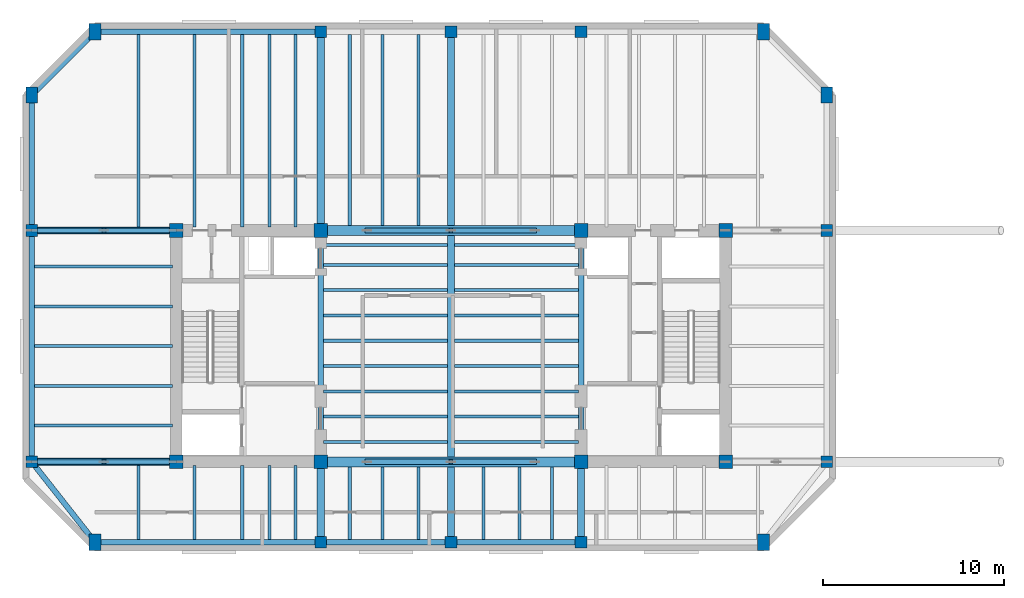
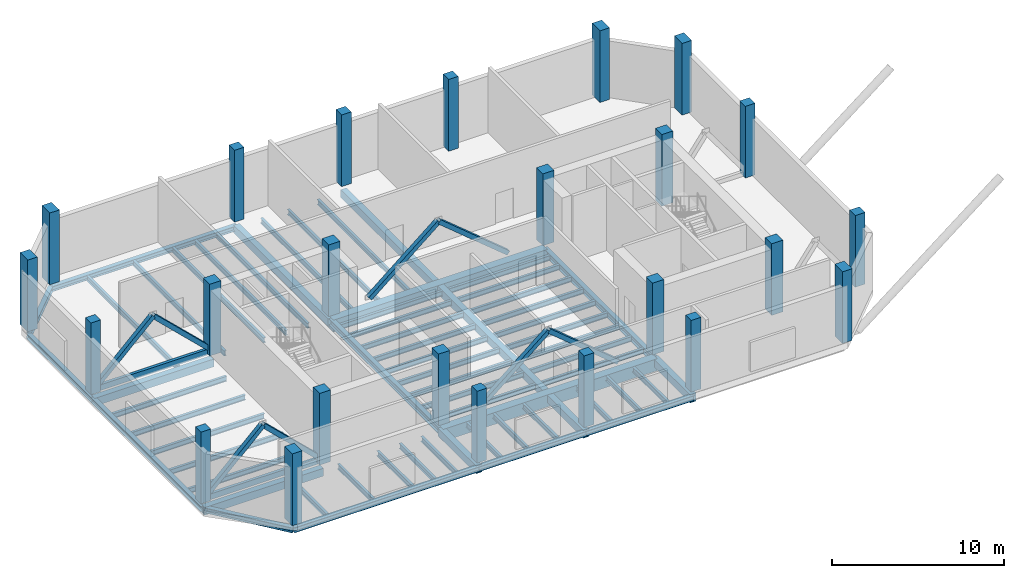
# One storey, part 1 of 9: 62 beams, 24 columns, 10 members.
"""IFC4 building model written with IfcOpenShell, lengths in metres."""

from ifc_helpers import new_model, si_unit, direction, frame, origin, origin_2d, place, context, subcontext, project, spatial, rectangle, hollow_rectangle, i_section, extrude, material, material_profile, profile_set, type_object, element, save


model = new_model("IFC4")

# Units and contexts
model_context = context("Model", 3, precision=1e-05, world=origin(), true_north=direction((0.0, 1.0)))
body_context = subcontext(model_context, "Body", "Model", "MODEL_VIEW")
ifc_project = project(units=[si_unit("LENGTHUNIT", "METRE"), si_unit("AREAUNIT", "SQUARE_METRE"), si_unit("VOLUMEUNIT", "CUBIC_METRE"), si_unit("PLANEANGLEUNIT", "RADIAN"), si_unit("MASSUNIT", "GRAM", prefix="KILO")], contexts=[model_context])

# Site, building, storey
site_placement = place(None, origin())
site = spatial("IfcSite", under=ifc_project, at=site_placement, CompositionType="ELEMENT")
building_placement = place(site_placement, origin())
building = spatial("IfcBuilding", under=site, at=building_placement, Name="Kranthara Brick Stack", CompositionType="ELEMENT")
storey_placement = place(building_placement, frame((0.0, 0.0, 282.300048828125)))
storey = spatial("IfcBuildingStorey", under=building, at=storey_placement, Name="L75", CompositionType="ELEMENT", Elevation=282.300048828125)

# Columns
ifc_material_1 = material(Name="Concrete C50/60", Category="concrete")
ifc_material_profile_1 = material_profile(ifc_material_1, rectangle(XDim=0.64990234375, YDim=0.89990234375, at=origin_2d()), Name="RC 650x900")
ifc_profile_set_1 = profile_set([ifc_material_profile_1], Name="Concrete C50/60")
column_type_1 = type_object("IfcColumnType", Name="COL-CHAM-650x900", PredefinedType="COLUMN", material=ifc_profile_set_1)
for number, where, z_axis, x_axis, name in (
    (1, (8.300048828125, 16.35009765625, 0.0), (0.0, 0.0, 1.0), (1.0, 0.0, 0.0), "L75 Column 09"),
    (2, (8.300048828125, 44.60009765625, 0.0), (0.0, 0.0, 1.0), (1.0, 0.0, 0.0), "L75 Column 10"),
    (3, (45.300048828125, 16.35009765625, 0.0), (0.0, 0.0, 1.0), (1.0, 0.0, 0.0), "L75 Column 17"),
    (4, (45.300048828125, 44.60009765625, 0.0), (0.0, 0.0, 1.0), (1.0, 0.0, 0.0), "L75 Column 18"),
    (5, (4.800048828125, 41.10009765625, 0.0), (0.0, 0.0, 1.0), (1.0, 0.0, 0.0), "L75 Column 23"),
    (6, (48.800048828125, 41.10009765625, 0.0), (0.0, 0.0, 1.0), (1.0, 0.0, 0.0), "L75 Column 24"),
):
    element("IfcColumn", number, at=place(storey_placement, frame(where, z_axis=z_axis, x_axis=x_axis)), inside=storey, type_object=column_type_1, Name=name, PredefinedType="COLUMN", context=body_context, shape_type="SweptSolid", body=[
        extrude(rectangle(XDim=0.64990234375, YDim=0.89990234375, at=origin_2d()), origin(), (0.0, 0.0, 1.0), 5.099853515625),
    ])
ifc_material_2 = material(Name="Concrete C50/60", Category="concrete")
ifc_material_profile_2 = material_profile(ifc_material_2, rectangle(XDim=0.75, YDim=0.75, at=origin_2d()), Name="RC 750x750")
ifc_profile_set_2 = profile_set([ifc_material_profile_2], Name="Concrete C50/60")
column_type_2 = type_object("IfcColumnType", Name="COL-CORE-750", PredefinedType="COLUMN", material=ifc_profile_set_2)
for number, where, z_axis, x_axis, name in (
    (7, (12.800048828125, 20.800048828125, 0.0), (0.0, 0.0, 1.0), (1.0, 0.0, 0.0), "L75 Column 01"),
    (8, (20.800048828125, 20.800048828125, 0.0), (0.0, 0.0, 1.0), (1.0, 0.0, 0.0), "L75 Column 02"),
    (9, (12.800048828125, 33.60009765625, 0.0), (0.0, 0.0, 1.0), (1.0, 0.0, 0.0), "L75 Column 03"),
    (10, (20.800048828125, 33.60009765625, 0.0), (0.0, 0.0, 1.0), (1.0, 0.0, 0.0), "L75 Column 04"),
    (11, (35.199951171875, 20.800048828125, 0.0), (0.0, 0.0, 1.0), (1.0, 0.0, 0.0), "L75 Column 05"),
    (12, (43.199951171875, 20.800048828125, 0.0), (0.0, 0.0, 1.0), (1.0, 0.0, 0.0), "L75 Column 06"),
    (13, (35.199951171875, 33.60009765625, 0.0), (0.0, 0.0, 1.0), (1.0, 0.0, 0.0), "L75 Column 07"),
    (14, (43.199951171875, 33.60009765625, 0.0), (0.0, 0.0, 1.0), (1.0, 0.0, 0.0), "L75 Column 08"),
):
    element("IfcColumn", number, at=place(storey_placement, frame(where, z_axis=z_axis, x_axis=x_axis)), inside=storey, type_object=column_type_2, Name=name, PredefinedType="COLUMN", context=body_context, shape_type="SweptSolid", body=[
        extrude(rectangle(XDim=0.75, YDim=0.75, at=origin_2d()), origin(), (0.0, 0.0, 1.0), 5.099853515625),
    ])
ifc_material_3 = material(Name="Concrete C50/60", Category="concrete")
ifc_material_profile_3 = material_profile(ifc_material_3, rectangle(XDim=0.64990234375, YDim=0.64990234375, at=origin_2d()), Name="RC 650x650")
ifc_profile_set_3 = profile_set([ifc_material_profile_3], Name="Concrete C50/60")
column_type_3 = type_object("IfcColumnType", Name="COL-PER-650", PredefinedType="COLUMN", material=ifc_profile_set_3)
for number, where, z_axis, x_axis, name in (
    (15, (20.800048828125, 16.35009765625, 0.0), (0.0, 0.0, 1.0), (1.0, 0.0, 0.0), "L75 Column 11"),
    (16, (20.800048828125, 44.60009765625, 0.0), (0.0, 0.0, 1.0), (1.0, 0.0, 0.0), "L75 Column 12"),
    (17, (28.0, 16.35009765625, 0.0), (0.0, 0.0, 1.0), (1.0, 0.0, 0.0), "L75 Column 13"),
    (18, (28.0, 44.60009765625, 0.0), (0.0, 0.0, 1.0), (1.0, 0.0, 0.0), "L75 Column 14"),
    (19, (35.199951171875, 16.35009765625, 0.0), (0.0, 0.0, 1.0), (1.0, 0.0, 0.0), "L75 Column 15"),
    (20, (35.199951171875, 44.60009765625, 0.0), (0.0, 0.0, 1.0), (1.0, 0.0, 0.0), "L75 Column 16"),
    (21, (4.800048828125, 20.800048828125, 0.0), (0.0, 0.0, 1.0), (1.0, 0.0, 0.0), "L75 Column 19"),
    (22, (48.800048828125, 20.800048828125, 0.0), (0.0, 0.0, 1.0), (1.0, 0.0, 0.0), "L75 Column 20"),
    (23, (4.800048828125, 33.60009765625, 0.0), (0.0, 0.0, 1.0), (1.0, 0.0, 0.0), "L75 Column 21"),
    (24, (48.800048828125, 33.60009765625, 0.0), (0.0, 0.0, 1.0), (1.0, 0.0, 0.0), "L75 Column 22"),
):
    element("IfcColumn", number, at=place(storey_placement, frame(where, z_axis=z_axis, x_axis=x_axis)), inside=storey, type_object=column_type_3, Name=name, PredefinedType="COLUMN", context=body_context, shape_type="SweptSolid", body=[
        extrude(rectangle(XDim=0.64990234375, YDim=0.64990234375, at=origin_2d()), origin(), (0.0, 0.0, 1.0), 5.099853515625),
    ])

# Beams
ifc_material_4 = material(Name="Concrete C50/60", Category="concrete")
ifc_material_profile_4 = material_profile(ifc_material_4, rectangle(XDim=0.550048828125, YDim=0.85009765625, at=origin_2d()), Name="RC 550x850")
ifc_profile_set_4 = profile_set([ifc_material_profile_4], Name="Concrete C50/60")
beam_type_1 = type_object("IfcBeamType", Name="BM-CPL-RC850", PredefinedType="LINTEL", material=ifc_profile_set_4)
for number, where, z_axis, x_axis, name in (
    (25, (20.800048828125, 20.800048828125, -0.875), (1.0, 0.0, 0.0), (0.0, 1.0, 0.0), "L75 Core Coupling Beam 001"),
    (26, (20.800048828125, 33.60009765625, -0.875), (1.0, 0.0, 0.0), (0.0, 1.0, 0.0), "L75 Core Coupling Beam 002"),
):
    element("IfcBeam", number, at=place(storey_placement, frame(where, z_axis=z_axis, x_axis=x_axis)), inside=storey, type_object=beam_type_1, Name=name, PredefinedType="LINTEL", context=body_context, shape_type="SweptSolid", body=[
        extrude(rectangle(XDim=0.550048828125, YDim=0.85009765625, at=origin_2d()), origin(), (0.0, 0.0, 1.0), 14.39990234375),
    ])
ifc_material_5 = material(Name="Post-tensioned concrete C45/55", Category="concrete")
ifc_material_profile_5 = material_profile(ifc_material_5, rectangle(XDim=0.39990234375, YDim=0.550048828125, at=origin_2d()), Name="PT 400x550")
ifc_profile_set_5 = profile_set([ifc_material_profile_5], Name="Post-tensioned concrete C45/55")
beam_type_2 = type_object("IfcBeamType", Name="BM-FLR-PT550", PredefinedType="BEAM", material=ifc_profile_set_5)
beam_1_placement = place(storey_placement, frame((20.800048828125, 16.35009765625, -0.72509765625), z_axis=(0.0, 1.0, 0.0), x_axis=(-1.0, 0.0, 0.0)))
element("IfcBeam", 27, at=beam_1_placement, inside=storey, type_object=beam_type_2, Name="L75 Primary Grid Girder 021", PredefinedType="BEAM", context=body_context, shape_type="SweptSolid", body=[
    extrude(rectangle(XDim=0.39990234375, YDim=0.550048828125, at=origin_2d()), origin(), (0.0, 0.0, 1.0), 4.449951171875),
])
beam_2_placement = place(storey_placement, frame((20.800048828125, 33.60009765625, -0.72509765625), z_axis=(0.0, 1.0, 0.0), x_axis=(-1.0, 0.0, 0.0)))
element("IfcBeam", 28, at=beam_2_placement, inside=storey, type_object=beam_type_2, Name="L75 Primary Grid Girder 022", PredefinedType="BEAM", context=body_context, shape_type="SweptSolid", body=[
    extrude(rectangle(XDim=0.39990234375, YDim=0.550048828125, at=origin_2d()), origin(), (0.0, 0.0, 1.0), 11.0),
])
beam_3_placement = place(storey_placement, frame((28.0, 16.35009765625, -0.72509765625), z_axis=(0.0, 1.0, 0.0), x_axis=(-1.0, 0.0, 0.0)))
element("IfcBeam", 29, at=beam_3_placement, inside=storey, type_object=beam_type_2, Name="L75 Primary Grid Girder 023", PredefinedType="BEAM", context=body_context, shape_type="SweptSolid", body=[
    extrude(rectangle(XDim=0.39990234375, YDim=0.550048828125, at=origin_2d()), origin(), (0.0, 0.0, 1.0), 4.1748046875),
])
beam_4_placement = place(storey_placement, frame((28.0, 21.074951171875, -0.72509765625), z_axis=(0.0, 1.0, 0.0), x_axis=(-1.0, 0.0, 0.0)))
element("IfcBeam", 30, at=beam_4_placement, inside=storey, type_object=beam_type_2, Name="L75 Central Spine Girder 024", PredefinedType="BEAM", context=body_context, shape_type="SweptSolid", body=[
    extrude(rectangle(XDim=0.39990234375, YDim=0.550048828125, at=origin_2d()), origin(), (0.0, 0.0, 1.0), 12.25),
])
beam_5_placement = place(storey_placement, frame((28.0, 33.875, -0.72509765625), z_axis=(0.0, 1.0, 0.0), x_axis=(-1.0, 0.0, 0.0)))
element("IfcBeam", 31, at=beam_5_placement, inside=storey, type_object=beam_type_2, Name="L75 Primary Grid Girder 025", PredefinedType="BEAM", context=body_context, shape_type="SweptSolid", body=[
    extrude(rectangle(XDim=0.39990234375, YDim=0.550048828125, at=origin_2d()), origin(), (0.0, 0.0, 1.0), 10.72509765625),
])
beam_6_placement = place(storey_placement, frame((35.199951171875, 16.35009765625, -0.72509765625), z_axis=(0.0, 1.0, 0.0), x_axis=(-1.0, 0.0, 0.0)))
element("IfcBeam", 32, at=beam_6_placement, inside=storey, type_object=beam_type_2, Name="L75 Primary Grid Girder 026", PredefinedType="BEAM", context=body_context, shape_type="SweptSolid", body=[
    extrude(rectangle(XDim=0.39990234375, YDim=0.550048828125, at=origin_2d()), origin(), (0.0, 0.0, 1.0), 4.449951171875),
])
for number, where, z_axis, x_axis, name in (
    (33, (4.800048828125, 20.800048828125, -0.72509765625), (1.0, 0.0, 0.0), (0.0, 1.0, 0.0), "L75 Primary Grid Girder 028"),
    (34, (4.800048828125, 33.60009765625, -0.72509765625), (1.0, 0.0, 0.0), (0.0, 1.0, 0.0), "L75 Primary Grid Girder 030"),
):
    element("IfcBeam", number, at=place(storey_placement, frame(where, z_axis=z_axis, x_axis=x_axis)), inside=storey, type_object=beam_type_2, Name=name, PredefinedType="BEAM", context=body_context, shape_type="SweptSolid", body=[
        extrude(rectangle(XDim=0.39990234375, YDim=0.550048828125, at=origin_2d()), origin(), (0.0, 0.0, 1.0), 8.0),
    ])
ifc_material_6 = material(Name="Steel S355", Category="steel")
ifc_material_profile_6 = material_profile(ifc_material_6, i_section(OverallWidth=0.169921875, OverallDepth=0.360107421875, WebThickness=0.008056640625, FlangeThickness=0.0126953125, at=origin_2d()), Name="IPE 360")
ifc_profile_set_6 = profile_set([ifc_material_profile_6], Name="Steel S355")
beam_type_3 = type_object("IfcBeamType", Name="BM-JST-IPE360", PredefinedType="JOIST", material=ifc_profile_set_6)
for number, where, z_axis, x_axis, name in (
    (35, (20.949951171875, 21.89990234375, -0.630126953125), (1.0, 0.0, 0.0), (0.0, 1.0, 0.0), "L75 Central Floor Joist 032"),
    (36, (28.199951171875, 21.89990234375, -0.630126953125), (1.0, 0.0, 0.0), (0.0, 1.0, 0.0), "L75 Central Floor Joist 033"),
    (37, (20.949951171875, 23.300048828125, -0.630126953125), (1.0, 0.0, 0.0), (0.0, 1.0, 0.0), "L75 Central Floor Joist 034"),
    (38, (28.199951171875, 23.300048828125, -0.630126953125), (1.0, 0.0, 0.0), (0.0, 1.0, 0.0), "L75 Central Floor Joist 035"),
    (39, (20.949951171875, 24.699951171875, -0.630126953125), (1.0, 0.0, 0.0), (0.0, 1.0, 0.0), "L75 Central Floor Joist 036"),
    (40, (28.199951171875, 24.699951171875, -0.630126953125), (1.0, 0.0, 0.0), (0.0, 1.0, 0.0), "L75 Central Floor Joist 037"),
    (41, (20.949951171875, 26.10009765625, -0.630126953125), (1.0, 0.0, 0.0), (0.0, 1.0, 0.0), "L75 Central Floor Joist 038"),
    (42, (28.199951171875, 26.10009765625, -0.630126953125), (1.0, 0.0, 0.0), (0.0, 1.0, 0.0), "L75 Central Floor Joist 039"),
    (43, (20.949951171875, 27.5, -0.630126953125), (1.0, 0.0, 0.0), (0.0, 1.0, 0.0), "L75 Central Floor Joist 040"),
    (44, (28.199951171875, 27.5, -0.630126953125), (1.0, 0.0, 0.0), (0.0, 1.0, 0.0), "L75 Central Floor Joist 041"),
    (45, (20.949951171875, 28.89990234375, -0.630126953125), (1.0, 0.0, 0.0), (0.0, 1.0, 0.0), "L75 Central Floor Joist 042"),
    (46, (28.199951171875, 28.89990234375, -0.630126953125), (1.0, 0.0, 0.0), (0.0, 1.0, 0.0), "L75 Central Floor Joist 043"),
    (47, (20.949951171875, 30.300048828125, -0.630126953125), (1.0, 0.0, 0.0), (0.0, 1.0, 0.0), "L75 Central Floor Joist 044"),
    (48, (28.199951171875, 30.300048828125, -0.630126953125), (1.0, 0.0, 0.0), (0.0, 1.0, 0.0), "L75 Central Floor Joist 045"),
    (49, (20.949951171875, 31.699951171875, -0.630126953125), (1.0, 0.0, 0.0), (0.0, 1.0, 0.0), "L75 Central Floor Joist 046"),
    (50, (28.199951171875, 31.699951171875, -0.630126953125), (1.0, 0.0, 0.0), (0.0, 1.0, 0.0), "L75 Central Floor Joist 047"),
    (51, (20.949951171875, 32.800048828125, -0.630126953125), (1.0, 0.0, 0.0), (0.0, 1.0, 0.0), "L75 Central Floor Joist 048"),
    (52, (28.199951171875, 32.800048828125, -0.630126953125), (1.0, 0.0, 0.0), (0.0, 1.0, 0.0), "L75 Central Floor Joist 049"),
):
    element("IfcBeam", number, at=place(storey_placement, frame(where, z_axis=z_axis, x_axis=x_axis)), inside=storey, type_object=beam_type_3, Name=name, PredefinedType="JOIST", context=body_context, shape_type="SweptSolid", body=[
        extrude(i_section(OverallWidth=0.169921875, OverallDepth=0.360107421875, WebThickness=0.008056640625, FlangeThickness=0.0126953125, at=origin_2d()), origin(), (0.0, 0.0, 1.0), 6.85009765625),
    ])
beam_7_placement = place(storey_placement, frame((10.699951171875, 16.5, -0.630126953125), z_axis=(0.0, 1.0, 0.0), x_axis=(-1.0, 0.0, 0.0)))
element("IfcBeam", 53, at=beam_7_placement, inside=storey, type_object=beam_type_3, Name="L75 South Wing Floor Joist 050", PredefinedType="JOIST", context=body_context, shape_type="SweptSolid", body=[
    extrude(i_section(OverallWidth=0.169921875, OverallDepth=0.360107421875, WebThickness=0.008056640625, FlangeThickness=0.0126953125, at=origin_2d()), origin(), (0.0, 0.0, 1.0), 4.10009765625),
])
beam_8_placement = place(storey_placement, frame((10.699951171875, 33.800048828125, -0.630126953125), z_axis=(0.0, 1.0, 0.0), x_axis=(-1.0, 0.0, 0.0)))
element("IfcBeam", 54, at=beam_8_placement, inside=storey, type_object=beam_type_3, Name="L75 North Wing Floor Joist 051", PredefinedType="JOIST", context=body_context, shape_type="SweptSolid", body=[
    extrude(i_section(OverallWidth=0.169921875, OverallDepth=0.360107421875, WebThickness=0.008056640625, FlangeThickness=0.0126953125, at=origin_2d()), origin(), (0.0, 0.0, 1.0), 10.64990234375),
])
beam_9_placement = place(storey_placement, frame((13.800048828125, 16.5, -0.630126953125), z_axis=(0.0, 1.0, 0.0), x_axis=(-1.0, 0.0, 0.0)))
element("IfcBeam", 55, at=beam_9_placement, inside=storey, type_object=beam_type_3, Name="L75 South Wing Floor Joist 052", PredefinedType="JOIST", context=body_context, shape_type="SweptSolid", body=[
    extrude(i_section(OverallWidth=0.169921875, OverallDepth=0.360107421875, WebThickness=0.008056640625, FlangeThickness=0.0126953125, at=origin_2d()), origin(), (0.0, 0.0, 1.0), 4.10009765625),
])
beam_10_placement = place(storey_placement, frame((13.800048828125, 33.800048828125, -0.630126953125), z_axis=(0.0, 1.0, 0.0), x_axis=(-1.0, 0.0, 0.0)))
element("IfcBeam", 56, at=beam_10_placement, inside=storey, type_object=beam_type_3, Name="L75 North Wing Floor Joist 053", PredefinedType="JOIST", context=body_context, shape_type="SweptSolid", body=[
    extrude(i_section(OverallWidth=0.169921875, OverallDepth=0.360107421875, WebThickness=0.008056640625, FlangeThickness=0.0126953125, at=origin_2d()), origin(), (0.0, 0.0, 1.0), 10.64990234375),
])
beam_11_placement = place(storey_placement, frame((16.449951171875, 16.5, -0.630126953125), z_axis=(0.0, 1.0, 0.0), x_axis=(-1.0, 0.0, 0.0)))
element("IfcBeam", 57, at=beam_11_placement, inside=storey, type_object=beam_type_3, Name="L75 South Wing Floor Joist 054", PredefinedType="JOIST", context=body_context, shape_type="SweptSolid", body=[
    extrude(i_section(OverallWidth=0.169921875, OverallDepth=0.360107421875, WebThickness=0.008056640625, FlangeThickness=0.0126953125, at=origin_2d()), origin(), (0.0, 0.0, 1.0), 4.10009765625),
])
beam_12_placement = place(storey_placement, frame((16.449951171875, 33.800048828125, -0.630126953125), z_axis=(0.0, 1.0, 0.0), x_axis=(-1.0, 0.0, 0.0)))
element("IfcBeam", 58, at=beam_12_placement, inside=storey, type_object=beam_type_3, Name="L75 North Wing Floor Joist 055", PredefinedType="JOIST", context=body_context, shape_type="SweptSolid", body=[
    extrude(i_section(OverallWidth=0.169921875, OverallDepth=0.360107421875, WebThickness=0.008056640625, FlangeThickness=0.0126953125, at=origin_2d()), origin(), (0.0, 0.0, 1.0), 10.64990234375),
])
beam_13_placement = place(storey_placement, frame((17.949951171875, 16.5, -0.630126953125), z_axis=(0.0, 1.0, 0.0), x_axis=(-1.0, 0.0, 0.0)))
element("IfcBeam", 59, at=beam_13_placement, inside=storey, type_object=beam_type_3, Name="L75 South Wing Floor Joist 056", PredefinedType="JOIST", context=body_context, shape_type="SweptSolid", body=[
    extrude(i_section(OverallWidth=0.169921875, OverallDepth=0.360107421875, WebThickness=0.008056640625, FlangeThickness=0.0126953125, at=origin_2d()), origin(), (0.0, 0.0, 1.0), 4.10009765625),
])
beam_14_placement = place(storey_placement, frame((17.949951171875, 33.800048828125, -0.630126953125), z_axis=(0.0, 1.0, 0.0), x_axis=(-1.0, 0.0, 0.0)))
element("IfcBeam", 60, at=beam_14_placement, inside=storey, type_object=beam_type_3, Name="L75 North Wing Floor Joist 057", PredefinedType="JOIST", context=body_context, shape_type="SweptSolid", body=[
    extrude(i_section(OverallWidth=0.169921875, OverallDepth=0.360107421875, WebThickness=0.008056640625, FlangeThickness=0.0126953125, at=origin_2d()), origin(), (0.0, 0.0, 1.0), 10.64990234375),
])
beam_15_placement = place(storey_placement, frame((19.39990234375, 16.5, -0.630126953125), z_axis=(0.0, 1.0, 0.0), x_axis=(-1.0, 0.0, 0.0)))
element("IfcBeam", 61, at=beam_15_placement, inside=storey, type_object=beam_type_3, Name="L75 South Wing Floor Joist 058", PredefinedType="JOIST", context=body_context, shape_type="SweptSolid", body=[
    extrude(i_section(OverallWidth=0.169921875, OverallDepth=0.360107421875, WebThickness=0.008056640625, FlangeThickness=0.0126953125, at=origin_2d()), origin(), (0.0, 0.0, 1.0), 4.10009765625),
])
beam_16_placement = place(storey_placement, frame((19.39990234375, 33.800048828125, -0.630126953125), z_axis=(0.0, 1.0, 0.0), x_axis=(-1.0, 0.0, 0.0)))
element("IfcBeam", 62, at=beam_16_placement, inside=storey, type_object=beam_type_3, Name="L75 North Wing Floor Joist 059", PredefinedType="JOIST", context=body_context, shape_type="SweptSolid", body=[
    extrude(i_section(OverallWidth=0.169921875, OverallDepth=0.360107421875, WebThickness=0.008056640625, FlangeThickness=0.0126953125, at=origin_2d()), origin(), (0.0, 0.0, 1.0), 10.64990234375),
])
beam_17_placement = place(storey_placement, frame((22.39990234375, 16.5, -0.630126953125), z_axis=(0.0, 1.0, 0.0), x_axis=(-1.0, 0.0, 0.0)))
element("IfcBeam", 63, at=beam_17_placement, inside=storey, type_object=beam_type_3, Name="L75 South Wing Floor Joist 060", PredefinedType="JOIST", context=body_context, shape_type="SweptSolid", body=[
    extrude(i_section(OverallWidth=0.169921875, OverallDepth=0.360107421875, WebThickness=0.008056640625, FlangeThickness=0.0126953125, at=origin_2d()), origin(), (0.0, 0.0, 1.0), 4.02490234375),
])
beam_18_placement = place(storey_placement, frame((22.39990234375, 33.875, -0.630126953125), z_axis=(0.0, 1.0, 0.0), x_axis=(-1.0, 0.0, 0.0)))
element("IfcBeam", 64, at=beam_18_placement, inside=storey, type_object=beam_type_3, Name="L75 North Wing Floor Joist 061", PredefinedType="JOIST", context=body_context, shape_type="SweptSolid", body=[
    extrude(i_section(OverallWidth=0.169921875, OverallDepth=0.360107421875, WebThickness=0.008056640625, FlangeThickness=0.0126953125, at=origin_2d()), origin(), (0.0, 0.0, 1.0), 10.574951171875),
])
beam_19_placement = place(storey_placement, frame((24.199951171875, 16.5, -0.630126953125), z_axis=(0.0, 1.0, 0.0), x_axis=(-1.0, 0.0, 0.0)))
element("IfcBeam", 65, at=beam_19_placement, inside=storey, type_object=beam_type_3, Name="L75 South Wing Floor Joist 062", PredefinedType="JOIST", context=body_context, shape_type="SweptSolid", body=[
    extrude(i_section(OverallWidth=0.169921875, OverallDepth=0.360107421875, WebThickness=0.008056640625, FlangeThickness=0.0126953125, at=origin_2d()), origin(), (0.0, 0.0, 1.0), 4.02490234375),
])
beam_20_placement = place(storey_placement, frame((24.199951171875, 33.875, -0.630126953125), z_axis=(0.0, 1.0, 0.0), x_axis=(-1.0, 0.0, 0.0)))
element("IfcBeam", 66, at=beam_20_placement, inside=storey, type_object=beam_type_3, Name="L75 North Wing Floor Joist 063", PredefinedType="JOIST", context=body_context, shape_type="SweptSolid", body=[
    extrude(i_section(OverallWidth=0.169921875, OverallDepth=0.360107421875, WebThickness=0.008056640625, FlangeThickness=0.0126953125, at=origin_2d()), origin(), (0.0, 0.0, 1.0), 10.574951171875),
])
beam_21_placement = place(storey_placement, frame((26.199951171875, 16.5, -0.630126953125), z_axis=(0.0, 1.0, 0.0), x_axis=(-1.0, 0.0, 0.0)))
element("IfcBeam", 67, at=beam_21_placement, inside=storey, type_object=beam_type_3, Name="L75 South Wing Floor Joist 064", PredefinedType="JOIST", context=body_context, shape_type="SweptSolid", body=[
    extrude(i_section(OverallWidth=0.169921875, OverallDepth=0.360107421875, WebThickness=0.008056640625, FlangeThickness=0.0126953125, at=origin_2d()), origin(), (0.0, 0.0, 1.0), 4.02490234375),
])
beam_22_placement = place(storey_placement, frame((26.199951171875, 33.875, -0.630126953125), z_axis=(0.0, 1.0, 0.0), x_axis=(-1.0, 0.0, 0.0)))
element("IfcBeam", 68, at=beam_22_placement, inside=storey, type_object=beam_type_3, Name="L75 North Wing Floor Joist 065", PredefinedType="JOIST", context=body_context, shape_type="SweptSolid", body=[
    extrude(i_section(OverallWidth=0.169921875, OverallDepth=0.360107421875, WebThickness=0.008056640625, FlangeThickness=0.0126953125, at=origin_2d()), origin(), (0.0, 0.0, 1.0), 10.574951171875),
])
for number, where, z_axis, x_axis, name in (
    (69, (29.800048828125, 16.5, -0.630126953125), (0.0, 1.0, 0.0), (-1.0, 0.0, 0.0), "L75 South Wing Floor Joist 066"),
    (70, (31.800048828125, 16.5, -0.630126953125), (0.0, 1.0, 0.0), (-1.0, 0.0, 0.0), "L75 South Wing Floor Joist 068"),
    (71, (33.60009765625, 16.5, -0.630126953125), (0.0, 1.0, 0.0), (-1.0, 0.0, 0.0), "L75 South Wing Floor Joist 070"),
):
    element("IfcBeam", number, at=place(storey_placement, frame(where, z_axis=z_axis, x_axis=x_axis)), inside=storey, type_object=beam_type_3, Name=name, PredefinedType="JOIST", context=body_context, shape_type="SweptSolid", body=[
        extrude(i_section(OverallWidth=0.169921875, OverallDepth=0.360107421875, WebThickness=0.008056640625, FlangeThickness=0.0126953125, at=origin_2d()), origin(), (0.0, 0.0, 1.0), 4.02490234375),
    ])
for number, where, z_axis, x_axis, name in (
    (72, (4.949951171875, 22.800048828125, -0.630126953125), (1.0, 0.0, 0.0), (0.0, 1.0, 0.0), "L75 West Wing Floor Joist 082"),
    (73, (4.949951171875, 25.0, -0.630126953125), (1.0, 0.0, 0.0), (0.0, 1.0, 0.0), "L75 West Wing Floor Joist 084"),
    (74, (4.949951171875, 27.199951171875, -0.630126953125), (1.0, 0.0, 0.0), (0.0, 1.0, 0.0), "L75 West Wing Floor Joist 086"),
    (75, (4.949951171875, 29.39990234375, -0.630126953125), (1.0, 0.0, 0.0), (0.0, 1.0, 0.0), "L75 West Wing Floor Joist 088"),
    (76, (4.949951171875, 31.60009765625, -0.630126953125), (1.0, 0.0, 0.0), (0.0, 1.0, 0.0), "L75 West Wing Floor Joist 090"),
):
    element("IfcBeam", number, at=place(storey_placement, frame(where, z_axis=z_axis, x_axis=x_axis)), inside=storey, type_object=beam_type_3, Name=name, PredefinedType="JOIST", context=body_context, shape_type="SweptSolid", body=[
        extrude(i_section(OverallWidth=0.169921875, OverallDepth=0.360107421875, WebThickness=0.008056640625, FlangeThickness=0.0126953125, at=origin_2d()), origin(), (0.0, 0.0, 1.0), 7.650146484375),
    ])
ifc_material_7 = material(Name="Steel S355", Category="steel")
ifc_material_profile_7 = material_profile(ifc_material_7, i_section(OverallWidth=0.300048828125, OverallDepth=0.360107421875, WebThickness=0.012451171875, FlangeThickness=0.0224609375, at=origin_2d()), Name="HEB 360")
ifc_profile_set_7 = profile_set([ifc_material_profile_7], Name="Steel S355")
beam_type_4 = type_object("IfcBeamType", Name="BM-STL-HEB360", PredefinedType="SPANDREL", material=ifc_profile_set_7)
beam_23_placement = place(storey_placement, frame((8.300048828125, 16.35009765625, -0.630126953125), z_axis=(1.0, 0.0, 0.0), x_axis=(0.0, 1.0, 0.0)))
element("IfcBeam", 77, at=beam_23_placement, inside=storey, type_object=beam_type_4, Name="L75 Perimeter Spandrel Beam 005", PredefinedType="SPANDREL", context=body_context, shape_type="SweptSolid", body=[
    extrude(i_section(OverallWidth=0.300048828125, OverallDepth=0.360107421875, WebThickness=0.012451171875, FlangeThickness=0.0224609375, at=origin_2d()), origin(), (0.0, 0.0, 1.0), 12.5),
])
for number, where, z_axis, x_axis, name in (
    (78, (20.800048828125, 16.35009765625, -0.630126953125), (1.0, 0.0, 0.0), (0.0, 1.0, 0.0), "L75 Perimeter Spandrel Beam 006"),
    (79, (28.0, 16.35009765625, -0.630126953125), (1.0, 0.0, 0.0), (0.0, 1.0, 0.0), "L75 Perimeter Spandrel Beam 007"),
):
    element("IfcBeam", number, at=place(storey_placement, frame(where, z_axis=z_axis, x_axis=x_axis)), inside=storey, type_object=beam_type_4, Name=name, PredefinedType="SPANDREL", context=body_context, shape_type="SweptSolid", body=[
        extrude(i_section(OverallWidth=0.300048828125, OverallDepth=0.360107421875, WebThickness=0.012451171875, FlangeThickness=0.0224609375, at=origin_2d()), origin(), (0.0, 0.0, 1.0), 7.199951171875),
    ])
beam_24_placement = place(storey_placement, frame((8.300048828125, 44.60009765625, -0.630126953125), z_axis=(1.0, 0.0, 0.0), x_axis=(0.0, 1.0, 0.0)))
element("IfcBeam", 80, at=beam_24_placement, inside=storey, type_object=beam_type_4, Name="L75 Perimeter Spandrel Beam 009", PredefinedType="SPANDREL", context=body_context, shape_type="SweptSolid", body=[
    extrude(i_section(OverallWidth=0.300048828125, OverallDepth=0.360107421875, WebThickness=0.012451171875, FlangeThickness=0.0224609375, at=origin_2d()), origin(), (0.0, 0.0, 1.0), 12.5),
])
beam_25_placement = place(storey_placement, frame((4.800048828125, 20.800048828125, -0.630126953125), z_axis=(0.0, 1.0, 0.0), x_axis=(-1.0, 0.0, 0.0)))
element("IfcBeam", 81, at=beam_25_placement, inside=storey, type_object=beam_type_4, Name="L75 Perimeter Spandrel Beam 013", PredefinedType="SPANDREL", context=body_context, shape_type="SweptSolid", body=[
    extrude(i_section(OverallWidth=0.300048828125, OverallDepth=0.360107421875, WebThickness=0.012451171875, FlangeThickness=0.0224609375, at=origin_2d()), origin(), (0.0, 0.0, 1.0), 12.800048828125),
])
beam_26_placement = place(storey_placement, frame((4.800048828125, 33.60009765625, -0.630126953125), z_axis=(0.0, 1.0, 0.0), x_axis=(-1.0, 0.0, 0.0)))
element("IfcBeam", 82, at=beam_26_placement, inside=storey, type_object=beam_type_4, Name="L75 Perimeter Spandrel Beam 014", PredefinedType="SPANDREL", context=body_context, shape_type="SweptSolid", body=[
    extrude(i_section(OverallWidth=0.300048828125, OverallDepth=0.360107421875, WebThickness=0.012451171875, FlangeThickness=0.0224609375, at=origin_2d()), origin(), (0.0, 0.0, 1.0), 7.5),
])
beam_27_placement = place(storey_placement, frame((8.300048828125, 16.35009765625, -0.630126953125), z_axis=(-0.618215705636, 0.78600848679, 0.0), x_axis=(-0.78600848679, -0.618215705636, 0.0)))
element("IfcBeam", 83, at=beam_27_placement, inside=storey, type_object=beam_type_4, Name="L75 Chamfer Corner Spandrel 017", PredefinedType="SPANDREL", context=body_context, shape_type="SweptSolid", body=[
    extrude(i_section(OverallWidth=0.300048828125, OverallDepth=0.360107421875, WebThickness=0.012451171875, FlangeThickness=0.0224609375, at=origin_2d()), origin(), (0.0, 0.0, 1.0), 5.661376953125),
])
beam_28_placement = place(storey_placement, frame((8.300048828125, 44.60009765625, -0.630126953125), z_axis=(-0.707106781187, -0.707106781187, 0.0), x_axis=(0.707106781187, -0.707106781187, 0.0)))
element("IfcBeam", 84, at=beam_28_placement, inside=storey, type_object=beam_type_4, Name="L75 Chamfer Corner Spandrel 019", PredefinedType="SPANDREL", context=body_context, shape_type="SweptSolid", body=[
    extrude(i_section(OverallWidth=0.300048828125, OverallDepth=0.360107421875, WebThickness=0.012451171875, FlangeThickness=0.0224609375, at=origin_2d()), origin(), (0.0, 0.0, 1.0), 4.94970703125),
])
ifc_material_8 = material(Name="Steel S355", Category="steel")
ifc_material_profile_8 = material_profile(ifc_material_8, i_section(OverallWidth=0.300048828125, OverallDepth=0.449951171875, WebThickness=0.013916015625, FlangeThickness=0.02587890625, at=origin_2d()), Name="HEB 450")
ifc_profile_set_8 = profile_set([ifc_material_profile_8], Name="Steel S355")
beam_type_5 = type_object("IfcBeamType", Name="BM-STL-HEB450", PredefinedType="SPANDREL", material=ifc_profile_set_8)
for number, where, z_axis, x_axis, name in (
    (85, (20.800048828125, 20.800048828125, -0.675048828125), (0.0, 1.0, 0.0), (-1.0, 0.0, 0.0), "L75 Core Edge Tie Beam 003"),
    (86, (35.199951171875, 20.800048828125, -0.675048828125), (0.0, 1.0, 0.0), (-1.0, 0.0, 0.0), "L75 Core Edge Tie Beam 004"),
):
    element("IfcBeam", number, at=place(storey_placement, frame(where, z_axis=z_axis, x_axis=x_axis)), inside=storey, type_object=beam_type_5, Name=name, PredefinedType="SPANDREL", context=body_context, shape_type="SweptSolid", body=[
        extrude(i_section(OverallWidth=0.300048828125, OverallDepth=0.449951171875, WebThickness=0.013916015625, FlangeThickness=0.02587890625, at=origin_2d()), origin(), (0.0, 0.0, 1.0), 12.800048828125),
    ])

# Members
ifc_material_9 = material(Name="Steel S355", Category="steel")
ifc_material_profile_9 = material_profile(ifc_material_9, hollow_rectangle(XDim=0.300048828125, YDim=0.300048828125, WallThickness=0.01611328125, at=origin_2d()), Name="SHS 300x300x16")
ifc_profile_set_9 = profile_set([ifc_material_profile_9], Name="Steel S355")
member_type_1 = type_object("IfcMemberType", Name="MB-BRC-SHS300", PredefinedType="BRACE", material=ifc_profile_set_9)
for number, where, z_axis, x_axis, name in (
    (87, (12.800048828125, 20.800048828125, 0.099853515625), (-0.720478064824, 0.0, 0.693477727189), (0.0, -1.0, 0.0), "L75 Outrigger Truss Diagonal 01"),
    (88, (12.800048828125, 33.60009765625, 0.099853515625), (-0.720478064824, 0.0, 0.693477727189), (0.0, -1.0, 0.0), "L75 Outrigger Truss Diagonal 02"),
    (89, (8.800048828125, 20.800048828125, 3.949951171875), (-0.720478064824, 0.0, -0.693477727189), (0.0, -1.0, 0.0), "L75 Outrigger Truss Diagonal 05"),
    (90, (8.800048828125, 33.60009765625, 3.949951171875), (-0.720478064824, 0.0, -0.693477727189), (0.0, -1.0, 0.0), "L75 Outrigger Truss Diagonal 06"),
):
    element("IfcMember", number, at=place(storey_placement, frame(where, z_axis=z_axis, x_axis=x_axis)), inside=storey, type_object=member_type_1, Name=name, PredefinedType="BRACE", context=body_context, shape_type="SweptSolid", body=[
        extrude(hollow_rectangle(XDim=0.300048828125, YDim=0.300048828125, WallThickness=0.01611328125, at=origin_2d()), origin(), (0.0, 0.0, 1.0), 5.5517578125),
    ])
for number, where, z_axis, x_axis, name in (
    (91, (23.35009765625, 20.800048828125, 0.099853515625), (0.770239498103, 0.0, 0.637754745621), (0.0, 1.0, 0.0), "L75 Outrigger Truss Diagonal 09"),
    (92, (32.64990234375, 20.800048828125, 0.099853515625), (-0.770239498103, 0.0, 0.637754745621), (0.0, -1.0, 0.0), "L75 Outrigger Truss Diagonal 10"),
    (93, (23.35009765625, 33.60009765625, 0.099853515625), (0.770239498103, 0.0, 0.637754745621), (0.0, 1.0, 0.0), "L75 Outrigger Truss Diagonal 11"),
    (94, (32.64990234375, 33.60009765625, 0.099853515625), (-0.770239498103, 0.0, 0.637754745621), (0.0, -1.0, 0.0), "L75 Outrigger Truss Diagonal 12"),
):
    element("IfcMember", number, at=place(storey_placement, frame(where, z_axis=z_axis, x_axis=x_axis)), inside=storey, type_object=member_type_1, Name=name, PredefinedType="BRACE", context=body_context, shape_type="SweptSolid", body=[
        extrude(hollow_rectangle(XDim=0.300048828125, YDim=0.300048828125, WallThickness=0.01611328125, at=origin_2d()), origin(), (0.0, 0.0, 1.0), 6.036865234375),
    ])
ifc_material_10 = material(Name="Steel S355", Category="steel")
ifc_material_profile_10 = material_profile(ifc_material_10, hollow_rectangle(XDim=0.199951171875, YDim=0.39990234375, WallThickness=0.01611328125, at=origin_2d()), Name="RHS 200x400x16")
ifc_profile_set_10 = profile_set([ifc_material_profile_10], Name="Steel S355")
member_type_2 = type_object("IfcMemberType", Name="MB-CHD-RHS400", PredefinedType="CHORD", material=ifc_profile_set_10)
for number, where, z_axis, x_axis, name in (
    (95, (12.800048828125, 20.800048828125, 0.099853515625), (-1.0, 0.0, 0.0), (0.0, -1.0, 0.0), "L75 Outrigger Bottom Chord 01"),
    (96, (12.800048828125, 33.60009765625, 0.099853515625), (-1.0, 0.0, 0.0), (0.0, -1.0, 0.0), "L75 Outrigger Bottom Chord 02"),
):
    element("IfcMember", number, at=place(storey_placement, frame(where, z_axis=z_axis, x_axis=x_axis)), inside=storey, type_object=member_type_2, Name=name, PredefinedType="CHORD", context=body_context, shape_type="SweptSolid", body=[
        extrude(hollow_rectangle(XDim=0.199951171875, YDim=0.39990234375, WallThickness=0.01611328125, at=origin_2d()), origin(), (0.0, 0.0, 1.0), 8.0),
    ])

save(model, "model.ifc")
